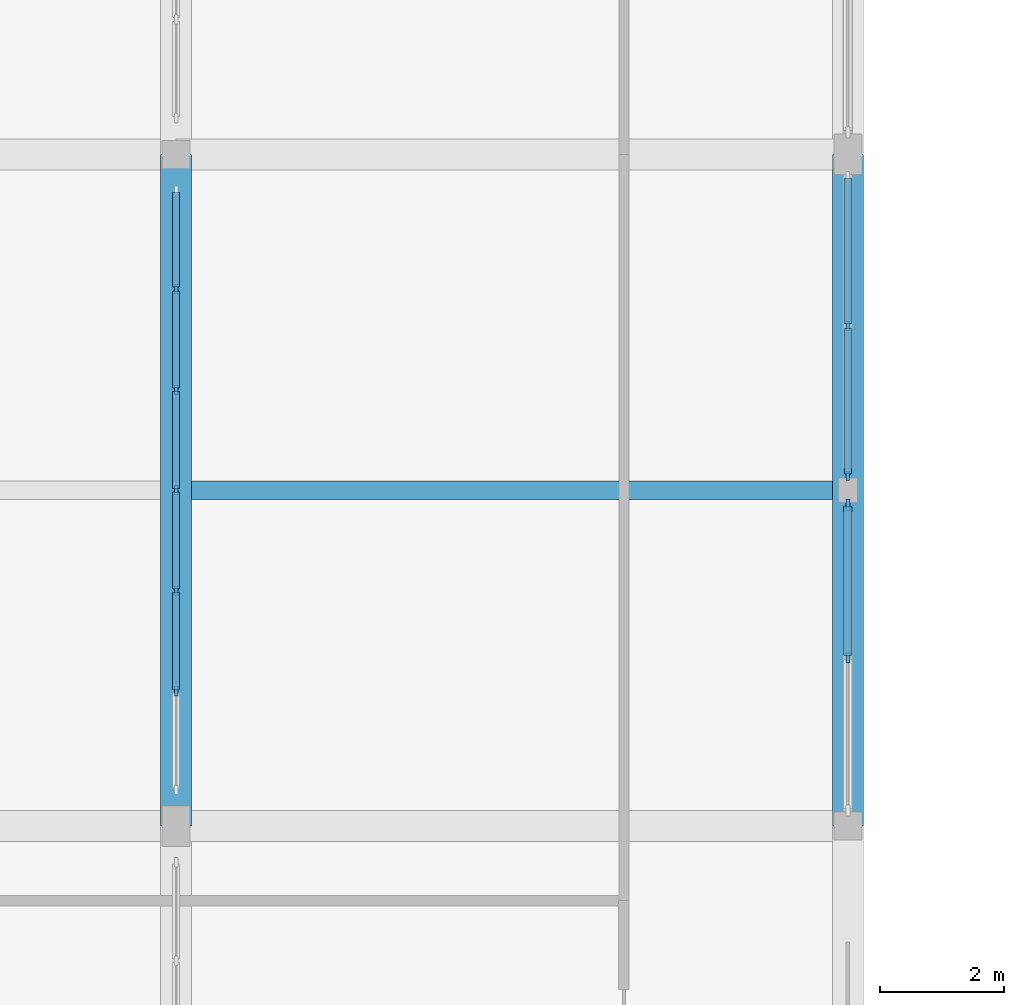
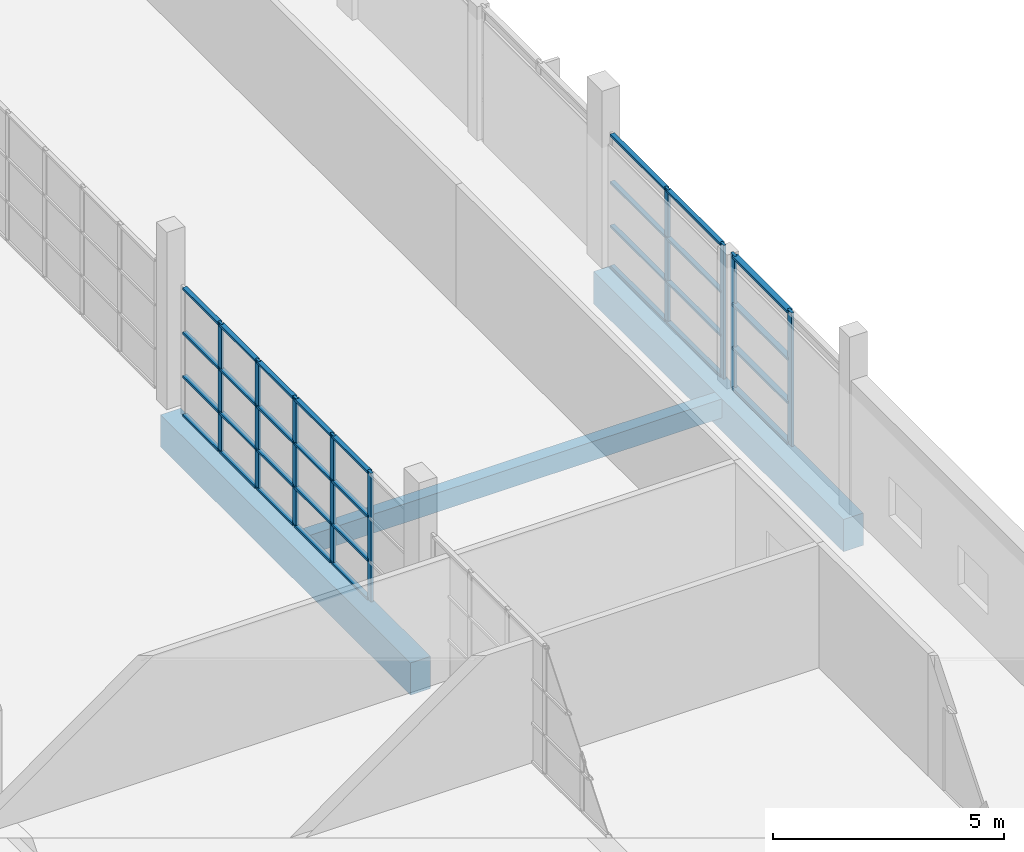
# One storey, part 13 of 142: 41 members, 3 beams, 3 elements without a shape of their own.
"""IFC4 building model written with IfcOpenShell, lengths in metres."""

from ifc_helpers import new_model, si_unit, direction, frame, origin, origin_2d, place, context, subcontext, project, spatial, rectangle, extrude, material, material_profile, profile_set, type_object, element, aggregate, save


model = new_model("IFC4")

# Units and contexts
model_context = context("Model", 3, precision=1e-05, world=origin(), true_north=direction((0.0, 1.0)))
body_context = subcontext(model_context, "Body", "Model", "MODEL_VIEW")
ifc_project = project(units=[si_unit("LENGTHUNIT", "METRE"), si_unit("AREAUNIT", "SQUARE_METRE"), si_unit("VOLUMEUNIT", "CUBIC_METRE"), si_unit("PLANEANGLEUNIT", "RADIAN"), si_unit("MASSUNIT", "GRAM", prefix="KILO")], contexts=[model_context])

# Site, building, storey
site_placement = place(None, origin())
site = spatial("IfcSite", under=ifc_project, at=site_placement, CompositionType="ELEMENT")
building_placement = place(site_placement, origin())
building = spatial("IfcBuilding", under=site, at=building_placement, Name="Zwinboog Wholesale Market", CompositionType="ELEMENT")
storey_placement = place(building_placement, frame((0.0, 0.0, 5.39990234375)))
storey = spatial("IfcBuildingStorey", under=building, at=storey_placement, Name="L01", CompositionType="ELEMENT", Elevation=5.39990234375)

# Beams
ifc_material_1 = material(Name="Precast concrete C45/55", Category="concrete")
ifc_material_profile_1 = material_profile(ifc_material_1, rectangle(XDim=0.5, YDim=0.85009765625, at=origin_2d()), Name="PC 500x850")
ifc_profile_set_1 = profile_set([ifc_material_profile_1], Name="Precast concrete C45/55")
beam_type_1 = type_object("IfcBeamType", Name="BT-03", PredefinedType="BEAM", material=ifc_profile_set_1)
for number, where, z_axis, x_axis, name in (
    (1, (32.39990234375, 21.60009765625, -0.679931640625), (0.0, 1.0, 0.0), (-1.0, 0.0, 0.0), "BG-03 (BMG-L01-0324-0216-0637)"),
    (2, (43.199951171875, 21.60009765625, -0.679931640625), (0.0, 1.0, 0.0), (-1.0, 0.0, 0.0), "BG-03 (BMG-L01-0432-0216-0649)"),
):
    element("IfcBeam", number, at=place(storey_placement, frame(where, z_axis=z_axis, x_axis=x_axis)), inside=storey, type_object=beam_type_1, Name=name, PredefinedType="BEAM", context=body_context, shape_type="SweptSolid", body=[
        extrude(rectangle(XDim=0.5, YDim=0.85009765625, at=origin_2d()), origin(), (0.0, 0.0, 1.0), 10.7998046875),
    ])
ifc_material_profile_2 = material_profile(ifc_material_1, rectangle(XDim=0.300048828125, YDim=0.5, at=origin_2d()), Name="PC 300x500")
ifc_profile_set_2 = profile_set([ifc_material_profile_2], Name="Precast concrete C45/55")
beam_type_2 = type_object("IfcBeamType", Name="BT-10", PredefinedType="JOIST", material=ifc_profile_set_2)
beam_placement = place(storey_placement, frame((32.64990234375, 27.0, -0.5048828125), z_axis=(1.0, 0.0, 0.0), x_axis=(0.0, 1.0, 0.0)))
element("IfcBeam", 3, at=beam_placement, inside=storey, type_object=beam_type_2, Name="BJ-01 (BMG-L01-0326-0270-0791)", PredefinedType="JOIST", context=body_context, shape_type="SweptSolid", body=[
    extrude(rectangle(XDim=0.300048828125, YDim=0.5, at=origin_2d()), origin(), (0.0, 0.0, 1.0), 10.300048828125),
])

# Curtain wall, members
ifc_material_2 = material(Name="Aluminium thermally broken curtain wall", Category="aluminium")
curtain_wall_type_1 = type_object("IfcCurtainWallType", Name="CWT-STALL-18", PredefinedType="USERDEFINED", material=ifc_material_2)
curtain_wall_1_placement = place(storey_placement, origin())
curtain_wall_1 = element("IfcCurtainWall", 4, at=curtain_wall_1_placement, inside=storey, type_object=curtain_wall_type_1, Name="CW-01 (CW-L01-073)", ObjectType="STOREFRONT_GLAZING", PredefinedType="USERDEFINED")
ifc_material_3 = material(Name="Aluminium EN AW-6060", Category="aluminium")
ifc_material_profile_3 = material_profile(ifc_material_3, rectangle(XDim=0.06494140625, YDim=0.179931640625, at=origin_2d()), Name="AL 65x180")
ifc_profile_set_3 = profile_set([ifc_material_profile_3], Name="Aluminium EN AW-6060")
member_type_1 = type_object("IfcMemberType", Name="CWM-65x180", PredefinedType="MULLION", material=ifc_profile_set_3)
member_1_placement = place(storey_placement, frame((43.199951171875, 24.31005859375, 0.0), z_axis=(0.0, 0.0, 1.0), x_axis=(-1.0, 0.0, 0.0)))
member_1 = element("IfcMember", 5, at=member_1_placement, type_object=member_type_1, Name="CW-01 mullion 2", PredefinedType="MULLION", context=body_context, shape_type="SweptSolid", body=[
    extrude(rectangle(XDim=0.06494140625, YDim=0.179931640625, at=origin_2d()), origin(), (0.0, 0.0, 1.0), 3.530029296875),
])
member_2_placement = place(storey_placement, frame((43.199951171875, 26.767578125, 0.0), z_axis=(0.0, 0.0, 1.0), x_axis=(-1.0, 0.0, 0.0)))
member_2 = element("IfcMember", 6, at=member_2_placement, type_object=member_type_1, Name="CW-01 mullion 3", PredefinedType="MULLION", context=body_context, shape_type="SweptSolid", body=[
    extrude(rectangle(XDim=0.06494140625, YDim=0.179931640625, at=origin_2d()), origin(), (0.0, 0.0, 1.0), 3.530029296875),
])

curtain_wall_type_2 = type_object("IfcCurtainWallType", Name="CWT-STALL-20", PredefinedType="USERDEFINED", material=ifc_material_2)
curtain_wall_2_placement = place(storey_placement, origin())
curtain_wall_2 = element("IfcCurtainWall", 7, at=curtain_wall_2_placement, inside=storey, type_object=curtain_wall_type_2, Name="CW-02 (CW-L01-074)", ObjectType="STOREFRONT_GLAZING", PredefinedType="USERDEFINED")
ifc_material_profile_4 = material_profile(ifc_material_3, rectangle(XDim=0.06005859375, YDim=0.14990234375, at=origin_2d()), Name="AL 60x150")
ifc_profile_set_4 = profile_set([ifc_material_profile_4], Name="Aluminium EN AW-6060")
member_type_2 = type_object("IfcMemberType", Name="CWM-60x150", PredefinedType="MULLION", material=ifc_profile_set_4)
member_3_placement = place(storey_placement, frame((43.199951171875, 27.22998046875, 0.0), z_axis=(0.0, 0.0, 1.0), x_axis=(-1.0, 0.0, 0.0)))
member_3 = element("IfcMember", 8, at=member_3_placement, type_object=member_type_2, Name="CW-02 mullion 1", PredefinedType="MULLION", context=body_context, shape_type="SweptSolid", body=[
    extrude(rectangle(XDim=0.06005859375, YDim=0.14990234375, at=origin_2d()), origin(), (0.0, 0.0, 1.0), 3.530029296875),
])
member_4_placement = place(storey_placement, frame((43.199951171875, 29.639892578125, 0.0), z_axis=(0.0, 0.0, 1.0), x_axis=(-1.0, 0.0, 0.0)))
member_4 = element("IfcMember", 9, at=member_4_placement, type_object=member_type_2, Name="CW-02 mullion 2", PredefinedType="MULLION", context=body_context, shape_type="SweptSolid", body=[
    extrude(rectangle(XDim=0.06005859375, YDim=0.14990234375, at=origin_2d()), origin(), (0.0, 0.0, 1.0), 3.530029296875),
])

# Member
ifc_material_profile_5 = material_profile(ifc_material_3, rectangle(XDim=0.139892578125, YDim=0.06494140625, at=origin_2d()), Name="AL 65x140")
ifc_profile_set_5 = profile_set([ifc_material_profile_5], Name="Aluminium EN AW-6060")
member_type_3 = type_object("IfcMemberType", Name="CWT-65x140", PredefinedType="USERDEFINED", material=ifc_profile_set_5)
member_5_placement = place(storey_placement, frame((43.199951171875, 24.342529296875, 0.03271484375), z_axis=(0.0, 1.0, 0.0), x_axis=(-1.0, 0.0, 0.0)))
member_5 = element("IfcMember", 10, at=member_5_placement, type_object=member_type_3, Name="CW-01 transom 2.1", ObjectType="TRANSOM", PredefinedType="USERDEFINED", context=body_context, shape_type="SweptSolid", body=[
    extrude(rectangle(XDim=0.139892578125, YDim=0.06494140625, at=origin_2d()), origin(), (0.0, 0.0, 1.0), 2.392578125),
])

member_6_placement = place(storey_placement, frame((43.199951171875, 24.342529296875, 1.10009765625), z_axis=(0.0, 1.0, 0.0), x_axis=(-1.0, 0.0, 0.0)))
member_6 = element("IfcMember", 11, at=member_6_placement, type_object=member_type_3, Name="CW-01 transom 2.2", ObjectType="TRANSOM", PredefinedType="USERDEFINED", context=body_context, shape_type="SweptSolid", body=[
    extrude(rectangle(XDim=0.139892578125, YDim=0.06494140625, at=origin_2d()), origin(), (0.0, 0.0, 1.0), 2.392578125),
])

member_7_placement = place(storey_placement, frame((43.199951171875, 24.342529296875, 2.25), z_axis=(0.0, 1.0, 0.0), x_axis=(-1.0, 0.0, 0.0)))
member_7 = element("IfcMember", 12, at=member_7_placement, type_object=member_type_3, Name="CW-01 transom 2.3", ObjectType="TRANSOM", PredefinedType="USERDEFINED", context=body_context, shape_type="SweptSolid", body=[
    extrude(rectangle(XDim=0.139892578125, YDim=0.06494140625, at=origin_2d()), origin(), (0.0, 0.0, 1.0), 2.392578125),
])

member_8_placement = place(storey_placement, frame((43.199951171875, 24.342529296875, 3.49755859375), z_axis=(0.0, 1.0, 0.0), x_axis=(-1.0, 0.0, 0.0)))
member_8 = element("IfcMember", 13, at=member_8_placement, type_object=member_type_3, Name="CW-01 transom 2.4", ObjectType="TRANSOM", PredefinedType="USERDEFINED", context=body_context, shape_type="SweptSolid", body=[
    extrude(rectangle(XDim=0.139892578125, YDim=0.06494140625, at=origin_2d()), origin(), (0.0, 0.0, 1.0), 2.392578125),
])

aggregate(curtain_wall_1, [member_1, member_2, member_5, member_6, member_7, member_8])

ifc_material_profile_6 = material_profile(ifc_material_3, rectangle(XDim=0.110107421875, YDim=0.06005859375, at=origin_2d()), Name="AL 60x110")
ifc_profile_set_6 = profile_set([ifc_material_profile_6], Name="Aluminium EN AW-6060")
member_type_4 = type_object("IfcMemberType", Name="CWT-60x110", PredefinedType="USERDEFINED", material=ifc_profile_set_6)
member_9_placement = place(storey_placement, frame((43.199951171875, 27.260009765625, 0.030029296875), z_axis=(0.0, 1.0, 0.0), x_axis=(-1.0, 0.0, 0.0)))
member_9 = element("IfcMember", 14, at=member_9_placement, type_object=member_type_4, Name="CW-02 transom 1.1", ObjectType="TRANSOM", PredefinedType="USERDEFINED", context=body_context, shape_type="SweptSolid", body=[
    extrude(rectangle(XDim=0.110107421875, YDim=0.06005859375, at=origin_2d()), origin(), (0.0, 0.0, 1.0), 2.35009765625),
])

member_10_placement = place(storey_placement, frame((43.199951171875, 27.260009765625, 1.10009765625), z_axis=(0.0, 1.0, 0.0), x_axis=(-1.0, 0.0, 0.0)))
member_10 = element("IfcMember", 15, at=member_10_placement, type_object=member_type_4, Name="CW-02 transom 1.2", ObjectType="TRANSOM", PredefinedType="USERDEFINED", context=body_context, shape_type="SweptSolid", body=[
    extrude(rectangle(XDim=0.110107421875, YDim=0.06005859375, at=origin_2d()), origin(), (0.0, 0.0, 1.0), 2.35009765625),
])

member_11_placement = place(storey_placement, frame((43.199951171875, 27.260009765625, 2.25), z_axis=(0.0, 1.0, 0.0), x_axis=(-1.0, 0.0, 0.0)))
member_11 = element("IfcMember", 16, at=member_11_placement, type_object=member_type_4, Name="CW-02 transom 1.3", ObjectType="TRANSOM", PredefinedType="USERDEFINED", context=body_context, shape_type="SweptSolid", body=[
    extrude(rectangle(XDim=0.110107421875, YDim=0.06005859375, at=origin_2d()), origin(), (0.0, 0.0, 1.0), 2.35009765625),
])

member_12_placement = place(storey_placement, frame((43.199951171875, 27.260009765625, 3.5), z_axis=(0.0, 1.0, 0.0), x_axis=(-1.0, 0.0, 0.0)))
member_12 = element("IfcMember", 17, at=member_12_placement, type_object=member_type_4, Name="CW-02 transom 1.4", ObjectType="TRANSOM", PredefinedType="USERDEFINED", context=body_context, shape_type="SweptSolid", body=[
    extrude(rectangle(XDim=0.110107421875, YDim=0.06005859375, at=origin_2d()), origin(), (0.0, 0.0, 1.0), 2.35009765625),
])

member_13_placement = place(storey_placement, frame((43.199951171875, 29.669921875, 0.030029296875), z_axis=(0.0, 1.0, 0.0), x_axis=(-1.0, 0.0, 0.0)))
member_13 = element("IfcMember", 18, at=member_13_placement, type_object=member_type_4, Name="CW-02 transom 2.1", ObjectType="TRANSOM", PredefinedType="USERDEFINED", context=body_context, shape_type="SweptSolid", body=[
    extrude(rectangle(XDim=0.110107421875, YDim=0.06005859375, at=origin_2d()), origin(), (0.0, 0.0, 1.0), 2.35009765625),
])

member_14_placement = place(storey_placement, frame((43.199951171875, 29.669921875, 1.10009765625), z_axis=(0.0, 1.0, 0.0), x_axis=(-1.0, 0.0, 0.0)))
member_14 = element("IfcMember", 19, at=member_14_placement, type_object=member_type_4, Name="CW-02 transom 2.2", ObjectType="TRANSOM", PredefinedType="USERDEFINED", context=body_context, shape_type="SweptSolid", body=[
    extrude(rectangle(XDim=0.110107421875, YDim=0.06005859375, at=origin_2d()), origin(), (0.0, 0.0, 1.0), 2.35009765625),
])

member_15_placement = place(storey_placement, frame((43.199951171875, 29.669921875, 2.25), z_axis=(0.0, 1.0, 0.0), x_axis=(-1.0, 0.0, 0.0)))
member_15 = element("IfcMember", 20, at=member_15_placement, type_object=member_type_4, Name="CW-02 transom 2.3", ObjectType="TRANSOM", PredefinedType="USERDEFINED", context=body_context, shape_type="SweptSolid", body=[
    extrude(rectangle(XDim=0.110107421875, YDim=0.06005859375, at=origin_2d()), origin(), (0.0, 0.0, 1.0), 2.35009765625),
])

member_16_placement = place(storey_placement, frame((43.199951171875, 29.669921875, 3.5), z_axis=(0.0, 1.0, 0.0), x_axis=(-1.0, 0.0, 0.0)))
member_16 = element("IfcMember", 21, at=member_16_placement, type_object=member_type_4, Name="CW-02 transom 2.4", ObjectType="TRANSOM", PredefinedType="USERDEFINED", context=body_context, shape_type="SweptSolid", body=[
    extrude(rectangle(XDim=0.110107421875, YDim=0.06005859375, at=origin_2d()), origin(), (0.0, 0.0, 1.0), 2.35009765625),
])

aggregate(curtain_wall_2, [member_3, member_4, member_9, member_10, member_11, member_12, member_13, member_14, member_15, member_16])

# Curtain wall, members
curtain_wall_type_3 = type_object("IfcCurtainWallType", Name="CWT-INT-STALL", PredefinedType="USERDEFINED", material=ifc_material_2)
curtain_wall_3_placement = place(storey_placement, origin())
curtain_wall_3 = element("IfcCurtainWall", 22, at=curtain_wall_3_placement, inside=storey, type_object=curtain_wall_type_3, Name="CW-07 (CW-STL-265)", ObjectType="STOREFRONT_GLAZING", PredefinedType="USERDEFINED")
ifc_material_profile_7 = material_profile(ifc_material_3, rectangle(XDim=0.06005859375, YDim=0.14990234375, at=origin_2d()), Name="AL 60x150")
ifc_profile_set_7 = profile_set([ifc_material_profile_7], Name="Aluminium EN AW-6060")
member_type_5 = type_object("IfcMemberType", Name="CWM-INT-60x120", PredefinedType="MULLION", material=ifc_profile_set_7)
member_17_placement = place(storey_placement, frame((32.39990234375, 23.7666015625, 0.0), z_axis=(0.0, 0.0, 1.0), x_axis=(-1.0, 0.0, 0.0)))
member_17 = element("IfcMember", 23, at=member_17_placement, type_object=member_type_5, Name="CW-07 mullion 2", PredefinedType="MULLION", context=body_context, shape_type="SweptSolid", body=[
    extrude(rectangle(XDim=0.06005859375, YDim=0.14990234375, at=origin_2d()), origin(), (0.0, 0.0, 1.0), 3.400146484375),
])
member_18_placement = place(storey_placement, frame((32.39990234375, 25.38330078125, 0.0), z_axis=(0.0, 0.0, 1.0), x_axis=(-1.0, 0.0, 0.0)))
member_18 = element("IfcMember", 24, at=member_18_placement, type_object=member_type_5, Name="CW-07 mullion 3", PredefinedType="MULLION", context=body_context, shape_type="SweptSolid", body=[
    extrude(rectangle(XDim=0.06005859375, YDim=0.14990234375, at=origin_2d()), origin(), (0.0, 0.0, 1.0), 3.400146484375),
])
member_19_placement = place(storey_placement, frame((32.39990234375, 27.0, 0.0), z_axis=(0.0, 0.0, 1.0), x_axis=(-1.0, 0.0, 0.0)))
member_19 = element("IfcMember", 25, at=member_19_placement, type_object=member_type_5, Name="CW-07 mullion 4", PredefinedType="MULLION", context=body_context, shape_type="SweptSolid", body=[
    extrude(rectangle(XDim=0.06005859375, YDim=0.14990234375, at=origin_2d()), origin(), (0.0, 0.0, 1.0), 3.400146484375),
])
member_20_placement = place(storey_placement, frame((32.39990234375, 28.61669921875, 0.0), z_axis=(0.0, 0.0, 1.0), x_axis=(-1.0, 0.0, 0.0)))
member_20 = element("IfcMember", 26, at=member_20_placement, type_object=member_type_5, Name="CW-07 mullion 5", PredefinedType="MULLION", context=body_context, shape_type="SweptSolid", body=[
    extrude(rectangle(XDim=0.06005859375, YDim=0.14990234375, at=origin_2d()), origin(), (0.0, 0.0, 1.0), 3.400146484375),
])
member_21_placement = place(storey_placement, frame((32.39990234375, 30.2333984375, 0.0), z_axis=(0.0, 0.0, 1.0), x_axis=(-1.0, 0.0, 0.0)))
member_21 = element("IfcMember", 27, at=member_21_placement, type_object=member_type_5, Name="CW-07 mullion 6", PredefinedType="MULLION", context=body_context, shape_type="SweptSolid", body=[
    extrude(rectangle(XDim=0.06005859375, YDim=0.14990234375, at=origin_2d()), origin(), (0.0, 0.0, 1.0), 3.400146484375),
])
ifc_material_profile_8 = material_profile(ifc_material_3, rectangle(XDim=0.110107421875, YDim=0.06005859375, at=origin_2d()), Name="AL 60x110")
ifc_profile_set_8 = profile_set([ifc_material_profile_8], Name="Aluminium EN AW-6060")
member_type_6 = type_object("IfcMemberType", Name="CWT-INT-60x100", PredefinedType="USERDEFINED", material=ifc_profile_set_8)
member_22_placement = place(storey_placement, frame((32.39990234375, 23.796630859375, 0.030029296875), z_axis=(0.0, 1.0, 0.0), x_axis=(-1.0, 0.0, 0.0)))
member_22 = element("IfcMember", 28, at=member_22_placement, type_object=member_type_6, Name="CW-07 transom 2.1", ObjectType="TRANSOM", PredefinedType="USERDEFINED", context=body_context, shape_type="SweptSolid", body=[
    extrude(rectangle(XDim=0.110107421875, YDim=0.06005859375, at=origin_2d()), origin(), (0.0, 0.0, 1.0), 1.556640625),
])
member_23_placement = place(storey_placement, frame((32.39990234375, 23.796630859375, 1.050048828125), z_axis=(0.0, 1.0, 0.0), x_axis=(-1.0, 0.0, 0.0)))
member_23 = element("IfcMember", 29, at=member_23_placement, type_object=member_type_6, Name="CW-07 transom 2.2", ObjectType="TRANSOM", PredefinedType="USERDEFINED", context=body_context, shape_type="SweptSolid", body=[
    extrude(rectangle(XDim=0.110107421875, YDim=0.06005859375, at=origin_2d()), origin(), (0.0, 0.0, 1.0), 1.556640625),
])
member_24_placement = place(storey_placement, frame((32.39990234375, 23.796630859375, 2.2001953125), z_axis=(0.0, 1.0, 0.0), x_axis=(-1.0, 0.0, 0.0)))
member_24 = element("IfcMember", 30, at=member_24_placement, type_object=member_type_6, Name="CW-07 transom 2.3", ObjectType="TRANSOM", PredefinedType="USERDEFINED", context=body_context, shape_type="SweptSolid", body=[
    extrude(rectangle(XDim=0.110107421875, YDim=0.06005859375, at=origin_2d()), origin(), (0.0, 0.0, 1.0), 1.556640625),
])
member_25_placement = place(storey_placement, frame((32.39990234375, 23.796630859375, 3.3701171875), z_axis=(0.0, 1.0, 0.0), x_axis=(-1.0, 0.0, 0.0)))
member_25 = element("IfcMember", 31, at=member_25_placement, type_object=member_type_6, Name="CW-07 transom 2.4", ObjectType="TRANSOM", PredefinedType="USERDEFINED", context=body_context, shape_type="SweptSolid", body=[
    extrude(rectangle(XDim=0.110107421875, YDim=0.06005859375, at=origin_2d()), origin(), (0.0, 0.0, 1.0), 1.556640625),
])
member_26_placement = place(storey_placement, frame((32.39990234375, 25.413330078125, 0.030029296875), z_axis=(0.0, 1.0, 0.0), x_axis=(-1.0, 0.0, 0.0)))
member_26 = element("IfcMember", 32, at=member_26_placement, type_object=member_type_6, Name="CW-07 transom 3.1", ObjectType="TRANSOM", PredefinedType="USERDEFINED", context=body_context, shape_type="SweptSolid", body=[
    extrude(rectangle(XDim=0.110107421875, YDim=0.06005859375, at=origin_2d()), origin(), (0.0, 0.0, 1.0), 1.556640625),
])
member_27_placement = place(storey_placement, frame((32.39990234375, 25.413330078125, 1.050048828125), z_axis=(0.0, 1.0, 0.0), x_axis=(-1.0, 0.0, 0.0)))
member_27 = element("IfcMember", 33, at=member_27_placement, type_object=member_type_6, Name="CW-07 transom 3.2", ObjectType="TRANSOM", PredefinedType="USERDEFINED", context=body_context, shape_type="SweptSolid", body=[
    extrude(rectangle(XDim=0.110107421875, YDim=0.06005859375, at=origin_2d()), origin(), (0.0, 0.0, 1.0), 1.556640625),
])
member_28_placement = place(storey_placement, frame((32.39990234375, 25.413330078125, 2.2001953125), z_axis=(0.0, 1.0, 0.0), x_axis=(-1.0, 0.0, 0.0)))
member_28 = element("IfcMember", 34, at=member_28_placement, type_object=member_type_6, Name="CW-07 transom 3.3", ObjectType="TRANSOM", PredefinedType="USERDEFINED", context=body_context, shape_type="SweptSolid", body=[
    extrude(rectangle(XDim=0.110107421875, YDim=0.06005859375, at=origin_2d()), origin(), (0.0, 0.0, 1.0), 1.556640625),
])
member_29_placement = place(storey_placement, frame((32.39990234375, 25.413330078125, 3.3701171875), z_axis=(0.0, 1.0, 0.0), x_axis=(-1.0, 0.0, 0.0)))
member_29 = element("IfcMember", 35, at=member_29_placement, type_object=member_type_6, Name="CW-07 transom 3.4", ObjectType="TRANSOM", PredefinedType="USERDEFINED", context=body_context, shape_type="SweptSolid", body=[
    extrude(rectangle(XDim=0.110107421875, YDim=0.06005859375, at=origin_2d()), origin(), (0.0, 0.0, 1.0), 1.556640625),
])
member_30_placement = place(storey_placement, frame((32.39990234375, 27.030029296875, 0.030029296875), z_axis=(0.0, 1.0, 0.0), x_axis=(-1.0, 0.0, 0.0)))
member_30 = element("IfcMember", 36, at=member_30_placement, type_object=member_type_6, Name="CW-07 transom 4.1", ObjectType="TRANSOM", PredefinedType="USERDEFINED", context=body_context, shape_type="SweptSolid", body=[
    extrude(rectangle(XDim=0.110107421875, YDim=0.06005859375, at=origin_2d()), origin(), (0.0, 0.0, 1.0), 1.556640625),
])
member_31_placement = place(storey_placement, frame((32.39990234375, 27.030029296875, 1.050048828125), z_axis=(0.0, 1.0, 0.0), x_axis=(-1.0, 0.0, 0.0)))
member_31 = element("IfcMember", 37, at=member_31_placement, type_object=member_type_6, Name="CW-07 transom 4.2", ObjectType="TRANSOM", PredefinedType="USERDEFINED", context=body_context, shape_type="SweptSolid", body=[
    extrude(rectangle(XDim=0.110107421875, YDim=0.06005859375, at=origin_2d()), origin(), (0.0, 0.0, 1.0), 1.556640625),
])
member_32_placement = place(storey_placement, frame((32.39990234375, 27.030029296875, 2.2001953125), z_axis=(0.0, 1.0, 0.0), x_axis=(-1.0, 0.0, 0.0)))
member_32 = element("IfcMember", 38, at=member_32_placement, type_object=member_type_6, Name="CW-07 transom 4.3", ObjectType="TRANSOM", PredefinedType="USERDEFINED", context=body_context, shape_type="SweptSolid", body=[
    extrude(rectangle(XDim=0.110107421875, YDim=0.06005859375, at=origin_2d()), origin(), (0.0, 0.0, 1.0), 1.556640625),
])
member_33_placement = place(storey_placement, frame((32.39990234375, 27.030029296875, 3.3701171875), z_axis=(0.0, 1.0, 0.0), x_axis=(-1.0, 0.0, 0.0)))
member_33 = element("IfcMember", 39, at=member_33_placement, type_object=member_type_6, Name="CW-07 transom 4.4", ObjectType="TRANSOM", PredefinedType="USERDEFINED", context=body_context, shape_type="SweptSolid", body=[
    extrude(rectangle(XDim=0.110107421875, YDim=0.06005859375, at=origin_2d()), origin(), (0.0, 0.0, 1.0), 1.556640625),
])
member_34_placement = place(storey_placement, frame((32.39990234375, 28.646728515625, 0.030029296875), z_axis=(0.0, 1.0, 0.0), x_axis=(-1.0, 0.0, 0.0)))
member_34 = element("IfcMember", 40, at=member_34_placement, type_object=member_type_6, Name="CW-07 transom 5.1", ObjectType="TRANSOM", PredefinedType="USERDEFINED", context=body_context, shape_type="SweptSolid", body=[
    extrude(rectangle(XDim=0.110107421875, YDim=0.06005859375, at=origin_2d()), origin(), (0.0, 0.0, 1.0), 1.556640625),
])
member_35_placement = place(storey_placement, frame((32.39990234375, 28.646728515625, 1.050048828125), z_axis=(0.0, 1.0, 0.0), x_axis=(-1.0, 0.0, 0.0)))
member_35 = element("IfcMember", 41, at=member_35_placement, type_object=member_type_6, Name="CW-07 transom 5.2", ObjectType="TRANSOM", PredefinedType="USERDEFINED", context=body_context, shape_type="SweptSolid", body=[
    extrude(rectangle(XDim=0.110107421875, YDim=0.06005859375, at=origin_2d()), origin(), (0.0, 0.0, 1.0), 1.556640625),
])
member_36_placement = place(storey_placement, frame((32.39990234375, 28.646728515625, 2.2001953125), z_axis=(0.0, 1.0, 0.0), x_axis=(-1.0, 0.0, 0.0)))
member_36 = element("IfcMember", 42, at=member_36_placement, type_object=member_type_6, Name="CW-07 transom 5.3", ObjectType="TRANSOM", PredefinedType="USERDEFINED", context=body_context, shape_type="SweptSolid", body=[
    extrude(rectangle(XDim=0.110107421875, YDim=0.06005859375, at=origin_2d()), origin(), (0.0, 0.0, 1.0), 1.556640625),
])
member_37_placement = place(storey_placement, frame((32.39990234375, 28.646728515625, 3.3701171875), z_axis=(0.0, 1.0, 0.0), x_axis=(-1.0, 0.0, 0.0)))
member_37 = element("IfcMember", 43, at=member_37_placement, type_object=member_type_6, Name="CW-07 transom 5.4", ObjectType="TRANSOM", PredefinedType="USERDEFINED", context=body_context, shape_type="SweptSolid", body=[
    extrude(rectangle(XDim=0.110107421875, YDim=0.06005859375, at=origin_2d()), origin(), (0.0, 0.0, 1.0), 1.556640625),
])
member_38_placement = place(storey_placement, frame((32.39990234375, 30.263427734375, 0.030029296875), z_axis=(0.0, 1.0, 0.0), x_axis=(-1.0, 0.0, 0.0)))
member_38 = element("IfcMember", 44, at=member_38_placement, type_object=member_type_6, Name="CW-07 transom 6.1", ObjectType="TRANSOM", PredefinedType="USERDEFINED", context=body_context, shape_type="SweptSolid", body=[
    extrude(rectangle(XDim=0.110107421875, YDim=0.06005859375, at=origin_2d()), origin(), (0.0, 0.0, 1.0), 1.526611328125),
])
member_39_placement = place(storey_placement, frame((32.39990234375, 30.263427734375, 1.050048828125), z_axis=(0.0, 1.0, 0.0), x_axis=(-1.0, 0.0, 0.0)))
member_39 = element("IfcMember", 45, at=member_39_placement, type_object=member_type_6, Name="CW-07 transom 6.2", ObjectType="TRANSOM", PredefinedType="USERDEFINED", context=body_context, shape_type="SweptSolid", body=[
    extrude(rectangle(XDim=0.110107421875, YDim=0.06005859375, at=origin_2d()), origin(), (0.0, 0.0, 1.0), 1.526611328125),
])
member_40_placement = place(storey_placement, frame((32.39990234375, 30.263427734375, 2.2001953125), z_axis=(0.0, 1.0, 0.0), x_axis=(-1.0, 0.0, 0.0)))
member_40 = element("IfcMember", 46, at=member_40_placement, type_object=member_type_6, Name="CW-07 transom 6.3", ObjectType="TRANSOM", PredefinedType="USERDEFINED", context=body_context, shape_type="SweptSolid", body=[
    extrude(rectangle(XDim=0.110107421875, YDim=0.06005859375, at=origin_2d()), origin(), (0.0, 0.0, 1.0), 1.526611328125),
])
member_41_placement = place(storey_placement, frame((32.39990234375, 30.263427734375, 3.3701171875), z_axis=(0.0, 1.0, 0.0), x_axis=(-1.0, 0.0, 0.0)))
member_41 = element("IfcMember", 47, at=member_41_placement, type_object=member_type_6, Name="CW-07 transom 6.4", ObjectType="TRANSOM", PredefinedType="USERDEFINED", context=body_context, shape_type="SweptSolid", body=[
    extrude(rectangle(XDim=0.110107421875, YDim=0.06005859375, at=origin_2d()), origin(), (0.0, 0.0, 1.0), 1.526611328125),
])
aggregate(curtain_wall_3, [member_17, member_18, member_19, member_20, member_21, member_22, member_23, member_24, member_25, member_26, member_27, member_28, member_29, member_30, member_31, member_32, member_33, member_34, member_35, member_36, member_37, member_38, member_39, member_40, member_41])

save(model, "model.ifc")
